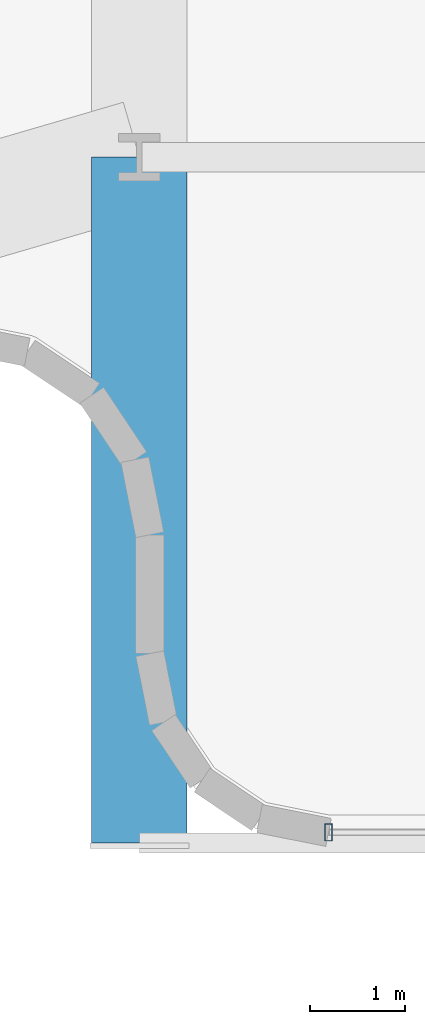
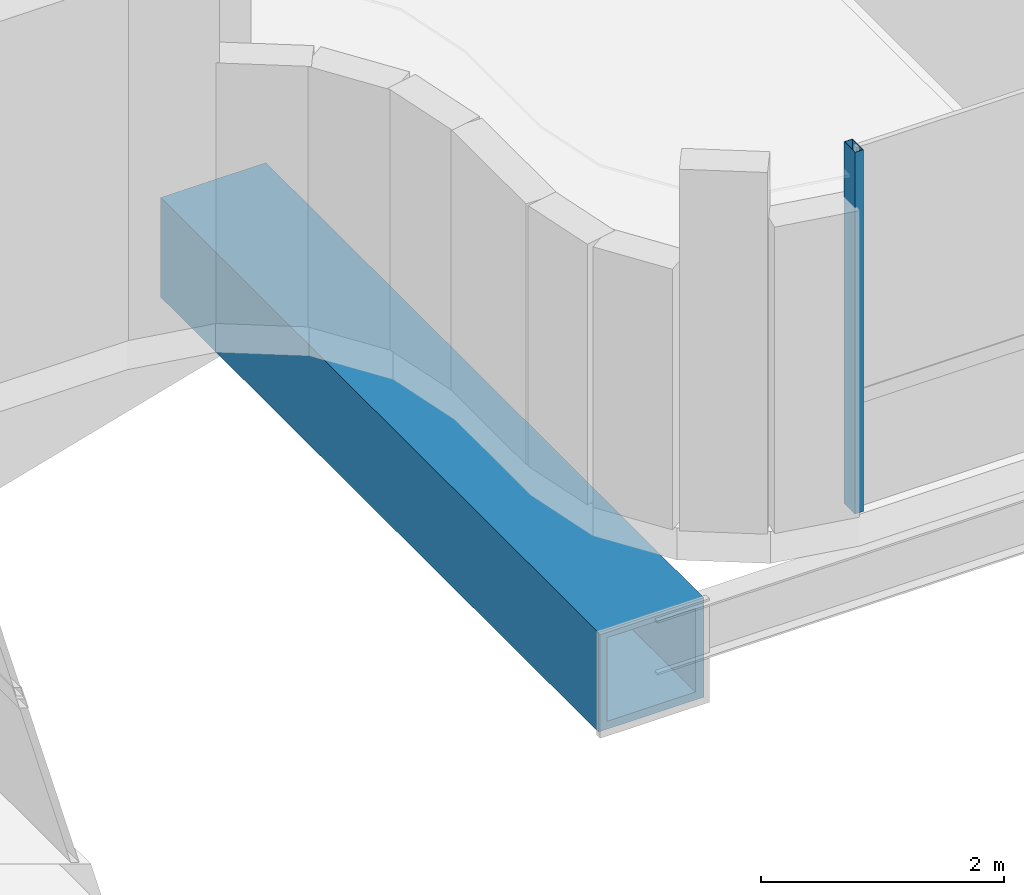
# One storey, part 7 of 39: 1 beam, 1 member, 1 element without a shape of its own.
"""IFC4 building model written with IfcOpenShell, lengths in metres."""

from ifc_helpers import new_model, si_unit, direction, frame, origin, origin_2d, place, context, subcontext, project, spatial, hollow_rectangle, extrude, source, transform, mapped, material, material_profile, profile_set, type_object, element, aggregate, save


model = new_model("IFC4")

# Units and contexts
model_context = context("Model", 3, precision=1e-05, world=origin(), true_north=direction((0.0, 1.0)))
body_context = subcontext(model_context, "Body", "Model", "MODEL_VIEW")
ifc_project = project(units=[si_unit("LENGTHUNIT", "METRE"), si_unit("AREAUNIT", "SQUARE_METRE"), si_unit("VOLUMEUNIT", "CUBIC_METRE"), si_unit("PLANEANGLEUNIT", "RADIAN"), si_unit("MASSUNIT", "GRAM", prefix="KILO")], contexts=[model_context])

# Site, building, storey
site_placement = place(None, origin())
site = spatial("IfcSite", under=ifc_project, at=site_placement, CompositionType="ELEMENT")
building_placement = place(site_placement, origin())
building = spatial("IfcBuilding", under=site, at=building_placement, Name="Valdorenza Pilgrim Sanctuary Tower", CompositionType="ELEMENT")
storey_placement = place(building_placement, frame((0.0, 0.0, 184.449951171875)))
storey = spatial("IfcBuildingStorey", under=building, at=storey_placement, Name="L47", CompositionType="ELEMENT", Elevation=184.449951171875)

# Beam
ifc_material_1 = material(Name="Steel ASTM A572 Grade 42", Category="steel")
ifc_material_profile_1 = material_profile(ifc_material_1, hollow_rectangle(XDim=1.0, YDim=1.0, WallThickness=0.080078125, at=origin_2d()), Name="BOX 1000x1000x80")
ifc_profile_set_1 = profile_set([ifc_material_profile_1], Name="Steel ASTM A572 Grade 42")
beam_type = type_object("IfcBeamType", Name="STR-BM-PROW-CANT", PredefinedType="BEAM", material=ifc_profile_set_1)
shared_shape_1 = source(origin(), body_context, "Body", "SweptSolid", [
    extrude(hollow_rectangle(XDim=1.0, YDim=1.0, WallThickness=0.080078125, at=origin_2d()), origin(), (0.0, 0.0, 1.0), 7.199951171875),
])
beam_placement = place(storey_placement, frame((-3.5, 0.0, -0.820068359375), z_axis=(0.0, -1.0, 0.0), x_axis=(1.0, 0.0, 0.0)))
element("IfcBeam", 1, at=beam_placement, inside=storey, type_object=beam_type, Name="L47 South Sanctuary Prow Cantilever PROW-CANT-S-W", PredefinedType="BEAM", context=body_context, shape_type="MappedRepresentation", body=[
    mapped(shared_shape_1, transform((0.0, 0.0, 0.0), x_axis=(1.0, 0.0, 0.0), y_axis=(0.0, 1.0, 0.0), z_axis=(0.0, 0.0, 1.0), scale=1.0)),
])

# Curtain wall, member
ifc_material_2 = material(Name="Curtain-wall IGU glazing", Category="glass")
curtain_wall_type = type_object("IfcCurtainWallType", Name="CW-SYS-05", PredefinedType="NOTDEFINED", material=ifc_material_2)
curtain_wall_placement = place(storey_placement, origin())
curtain_wall = element("IfcCurtainWall", 2, at=curtain_wall_placement, inside=storey, type_object=curtain_wall_type, Name="L47 Curtain Wall CW-L47-1-62", PredefinedType="NOTDEFINED")
ifc_material_3 = material(Name="Anodised aluminium AW-6060", Category="aluminium")
ifc_material_profile_2 = material_profile(ifc_material_3, hollow_rectangle(XDim=0.080078125, YDim=0.179931640625, WallThickness=0.00439453125, at=origin_2d()), Name="ALU-M 180x80x4.5")
ifc_profile_set_2 = profile_set([ifc_material_profile_2], Name="Anodised aluminium AW-6060")
member_type = type_object("IfcMemberType", Name="CW-MUL-05", PredefinedType="MULLION", material=ifc_profile_set_2)
shared_shape_2 = source(origin(), body_context, "Body", "SweptSolid", [
    extrude(hollow_rectangle(XDim=0.080078125, YDim=0.179931640625, WallThickness=0.00439453125, at=origin_2d()), origin(), (0.0, 0.0, 1.0), 3.630126953125),
])
member_placement = place(storey_placement, frame((-1.51318359375, -7.090087890625, 0.0), z_axis=(0.0, 0.0, 1.0), x_axis=(-1.0, 0.0, 0.0)))
member = element("IfcMember", 3, at=member_placement, type_object=member_type, Name="CW-L47-1-62 Mullion 3", PredefinedType="MULLION", context=body_context, shape_type="MappedRepresentation", body=[
    mapped(shared_shape_2, transform((0.0, 0.0, 0.0), x_axis=(1.0, 0.0, 0.0), y_axis=(0.0, 1.0, 0.0), z_axis=(0.0, 0.0, 1.0), scale=1.0)),
])
aggregate(curtain_wall, [member])

save(model, "model.ifc")
